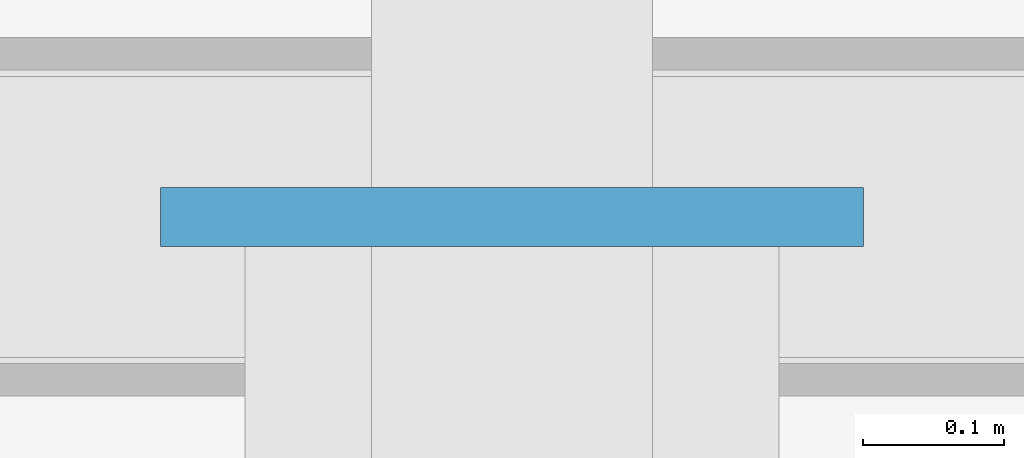
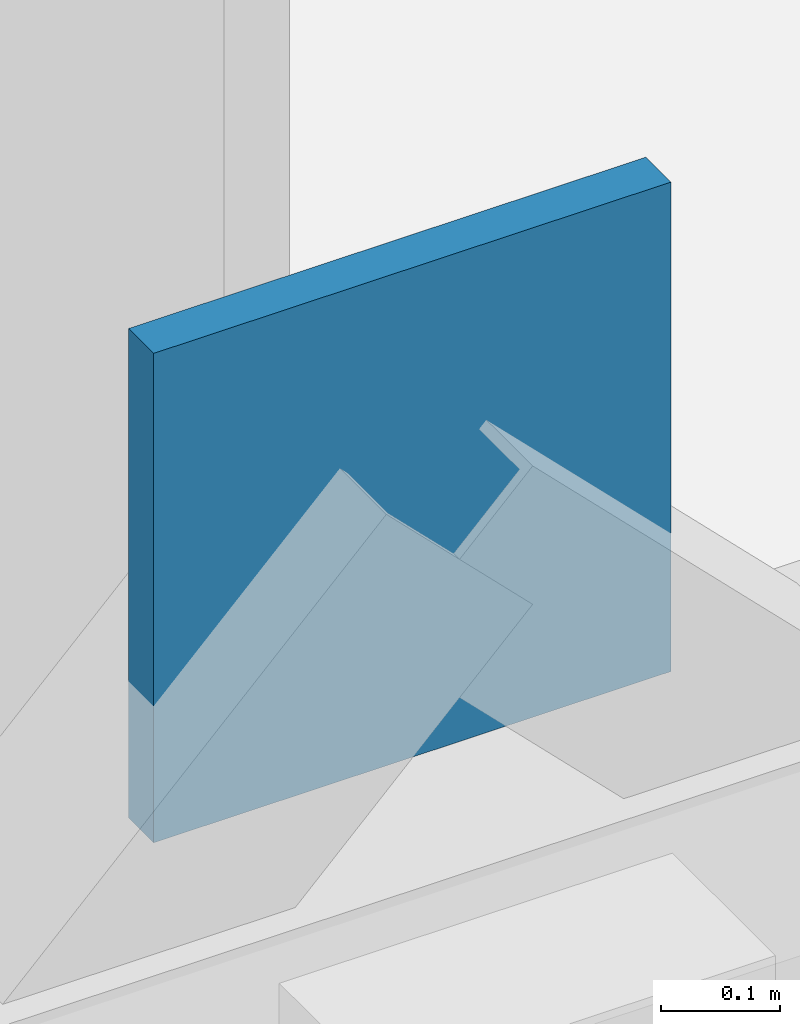
# One storey, part 18 of 28: 1 plate.
"""IFC4 building model written with IfcOpenShell, lengths in metres."""

from ifc_helpers import new_model, si_unit, direction, frame, origin, origin_2d, place, context, subcontext, project, spatial, rectangle, extrude, material, layer, layer_set, type_object, element, save


model = new_model("IFC4")

# Units and contexts
model_context = context("Model", 3, precision=1e-05, world=origin(), true_north=direction((0.0, 1.0)))
body_context = subcontext(model_context, "Body", "Model", "MODEL_VIEW")
ifc_project = project(units=[si_unit("LENGTHUNIT", "METRE"), si_unit("AREAUNIT", "SQUARE_METRE"), si_unit("VOLUMEUNIT", "CUBIC_METRE"), si_unit("PLANEANGLEUNIT", "RADIAN"), si_unit("MASSUNIT", "GRAM", prefix="KILO")], contexts=[model_context])

# Site, building, storey
site_placement = place(None, origin())
site = spatial("IfcSite", under=ifc_project, at=site_placement, CompositionType="ELEMENT")
building_placement = place(site_placement, origin())
building = spatial("IfcBuilding", under=site, at=building_placement, Name="Yarey Park Central Fire Station", CompositionType="ELEMENT")
storey_placement = place(building_placement, frame((0.0, 0.0, 22.199951171875)))
storey = spatial("IfcBuildingStorey", under=building, at=storey_placement, Name="L06", CompositionType="ELEMENT", Elevation=22.199951171875)

# Plate
ifc_material = material(Name="Steel ASTM A572 Gr. 50", Category="steel")
ifc_layer = layer(ifc_material, 0.0419921875)
ifc_layer_set = layer_set([ifc_layer], Name="Steel ASTM A572 Gr. 50")
plate_type = type_object("IfcPlateType", Name="STR_PLT_NODE2", PredefinedType="USERDEFINED", material=ifc_layer_set)
plate_placement = place(storey_placement, frame((154.800048828125, 0.0, 3.400146484375), z_axis=(0.0, 0.0, 1.0), x_axis=(1.0, 0.0, 0.0)))
element("IfcPlate", 1, at=plate_placement, inside=storey, type_object=plate_type, Name="NODE_PLT_DT_L06_2", ObjectType="GUSSET_PLATE", PredefinedType="USERDEFINED", context=body_context, shape_type="SweptSolid", body=[
    extrude(rectangle(XDim=0.5, YDim=0.0419921875, at=origin_2d()), origin(), (0.0, 0.0, 1.0), 0.5),
])

save(model, "model.ifc")
